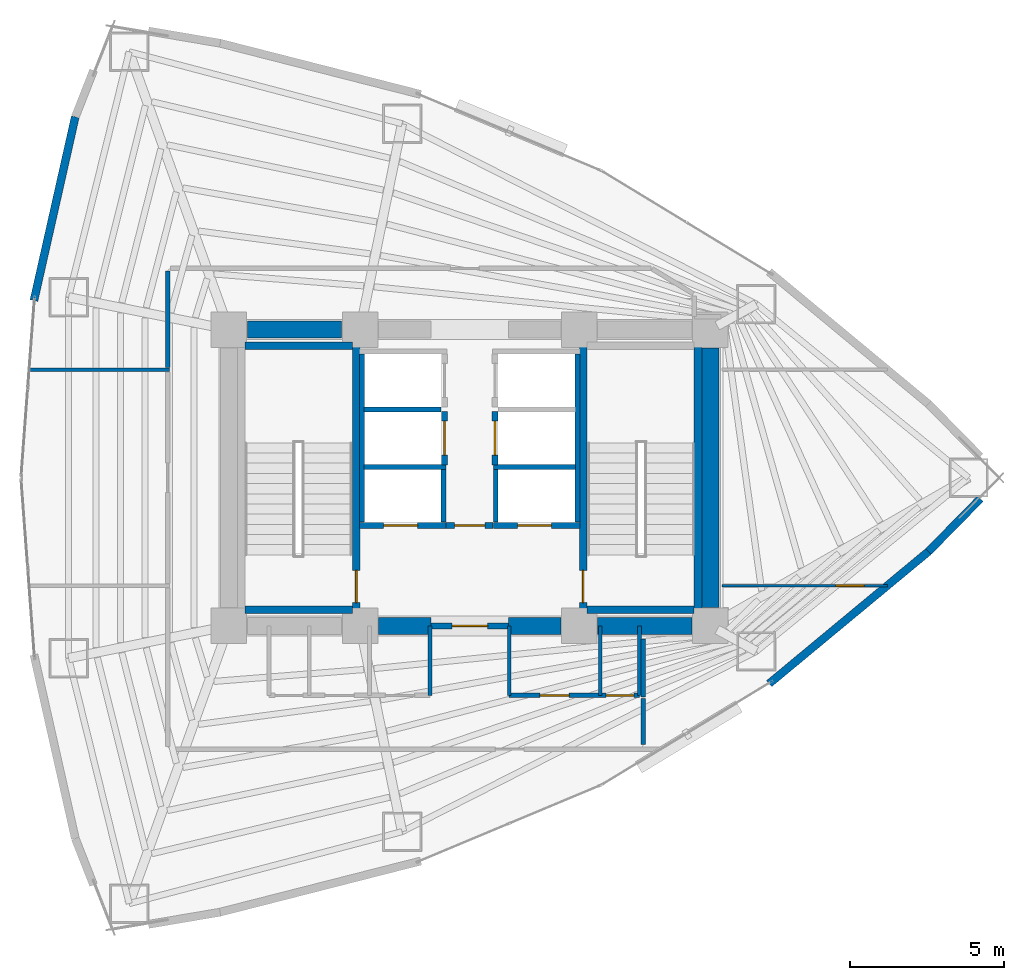
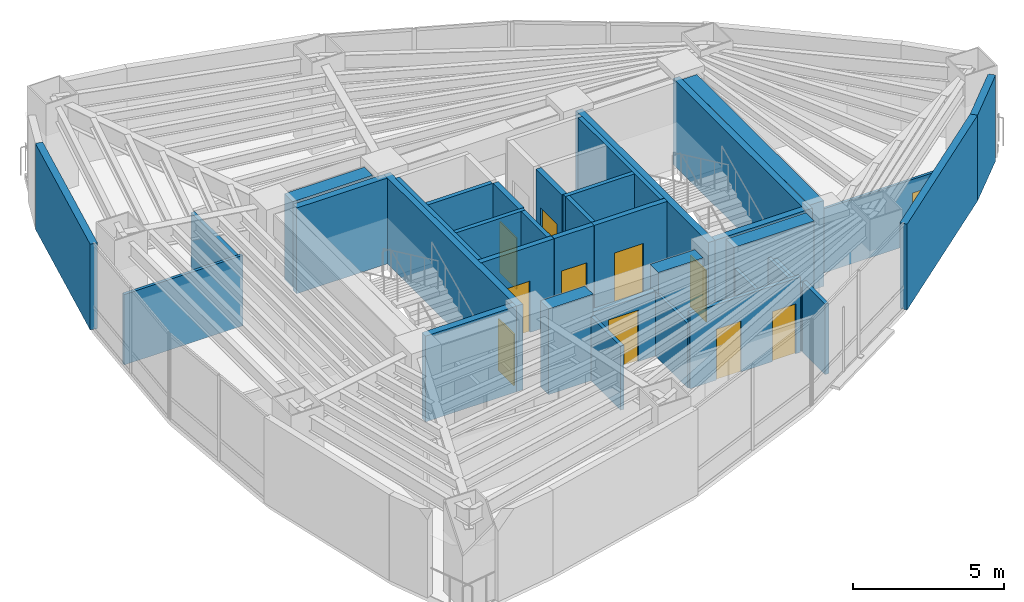
# One storey, part 15 of 18: 37 walls, 11 doors, 11 openings.
"""IFC4 building model written with IfcOpenShell, lengths in metres."""

from ifc_helpers import new_model, si_unit, direction, frame, frame_2d, origin, place, context, subcontext, project, spatial, rectangle, extrude, material, layer, layer_set, type_object, element, fill, save


model = new_model("IFC4")

# Units and contexts
model_context = context("Model", 3, precision=1e-05, world=origin(), true_north=direction((0.0, 1.0)))
body_context = subcontext(model_context, "Body", "Model", "MODEL_VIEW")
ifc_project = project(units=[si_unit("LENGTHUNIT", "METRE"), si_unit("AREAUNIT", "SQUARE_METRE"), si_unit("VOLUMEUNIT", "CUBIC_METRE"), si_unit("PLANEANGLEUNIT", "RADIAN"), si_unit("MASSUNIT", "GRAM", prefix="KILO")], contexts=[model_context])

# Site, building, storey
site_placement = place(None, origin())
site = spatial("IfcSite", under=ifc_project, at=site_placement, CompositionType="ELEMENT")
building_placement = place(site_placement, origin())
building = spatial("IfcBuilding", under=site, at=building_placement, Name="Menara Vayukalpa", CompositionType="ELEMENT")
storey_placement = place(building_placement, frame((0.0, 0.0, 92.820068359375)))
storey = spatial("IfcBuildingStorey", under=building, at=storey_placement, Name="L22", CompositionType="ELEMENT", Elevation=92.820068359375)

# Walls
ifc_material_1 = material(Name="Concrete C60/75", Category="concrete")
ifc_layer_1 = layer(ifc_material_1, 0.550048828125)
ifc_layer_set_1 = layer_set([ifc_layer_1], Name="Concrete C60/75")
wall_type_1 = type_object("IfcWallType", Name="WAL-CW550", PredefinedType="SHEAR", material=ifc_layer_set_1)
wall_1_placement = place(storey_placement, frame((22.64501953125, 17.199951171875, 0.0), z_axis=(0.0, 0.0, 1.0), x_axis=(1.0, 0.0, 0.0)))
element("IfcWall", 1, at=wall_1_placement, inside=storey, type_object=wall_type_1, Name="L22 Buttressed Core Shear Wall CWS2", PredefinedType="SHEAR", context=body_context, shape_type="SweptSolid", body=[
    extrude(rectangle(XDim=1.705078125, YDim=0.550048828125, at=frame_2d((0.8525390625, 0.0))), origin(), (0.0, 0.0, 1.0), 3.469970703125),
])
wall_2_placement = place(storey_placement, frame((26.85009765625, 17.199951171875, 0.0), z_axis=(0.0, 0.0, 1.0), x_axis=(1.0, 0.0, 0.0)))
element("IfcWall", 2, at=wall_2_placement, inside=storey, type_object=wall_type_1, Name="L22 Buttressed Core Shear Wall CWS3", PredefinedType="SHEAR", context=body_context, shape_type="SweptSolid", body=[
    extrude(rectangle(XDim=1.704833984375, YDim=0.550048828125, at=frame_2d((0.8525390625, 0.0))), origin(), (0.0, 0.0, 1.0), 3.469970703125),
])
wall_3_placement = place(storey_placement, frame((29.7451171875, 17.199951171875, 0.0), z_axis=(0.0, 0.0, 1.0), x_axis=(1.0, 0.0, 0.0)))
element("IfcWall", 3, at=wall_3_placement, inside=storey, type_object=wall_type_1, Name="L22 Buttressed Core Shear Wall CWS4", PredefinedType="SHEAR", context=body_context, shape_type="SweptSolid", body=[
    extrude(rectangle(XDim=3.059814453125, YDim=0.550048828125, at=frame_2d((1.52978515625, 0.0))), origin(), (0.0, 0.0, 1.0), 3.469970703125),
])
wall_4_placement = place(storey_placement, frame((18.39501953125, 26.800048828125, 0.0), z_axis=(0.0, 0.0, 1.0), x_axis=(1.0, 0.0, 0.0)))
element("IfcWall", 4, at=wall_4_placement, inside=storey, type_object=wall_type_1, Name="L22 Buttressed Core Shear Wall CWN1", PredefinedType="SHEAR", context=body_context, shape_type="SweptSolid", body=[
    extrude(rectangle(XDim=3.06005859375, YDim=0.550048828125, at=frame_2d((1.530029296875, 0.0))), origin(), (0.0, 0.0, 1.0), 3.469970703125),
])
wall_5_placement = place(storey_placement, frame((33.39990234375, 17.794921875, 0.0), z_axis=(0.0, 0.0, 1.0), x_axis=(0.0, 1.0, 0.0)))
element("IfcWall", 5, at=wall_5_placement, inside=storey, type_object=wall_type_1, Name="L22 Buttressed Core Shear Wall CWE1", PredefinedType="SHEAR", context=body_context, shape_type="SweptSolid", body=[
    extrude(rectangle(XDim=8.41015625, YDim=0.550048828125, at=frame_2d((4.205078125, 0.0))), origin(), (0.0, 0.0, 1.0), 3.469970703125),
])
ifc_material_2 = material(Name="Insulated Precast Concrete C40/50", Category="concrete")
ifc_layer_2 = layer(ifc_material_2, 0.260009765625)
ifc_layer_set_2 = layer_set([ifc_layer_2], Name="Insulated Precast Concrete C40/50")
wall_type_2 = type_object("IfcWallType", Name="WAL-EXT260", PredefinedType="PARTITIONING", material=ifc_layer_set_2)
wall_6_placement = place(storey_placement, frame((42.14111328125, 21.316650390625, 0.0), z_axis=(0.0, 0.0, 1.0), x_axis=(-0.700603293449, -0.713550996922, 0.0)))
element("IfcWall", 6, at=wall_6_placement, inside=storey, type_object=wall_type_2, Name="L22 Perimeter Terracotta Pier Wall 01", PredefinedType="PARTITIONING", context=body_context, shape_type="SweptSolid", body=[
    extrude(rectangle(XDim=2.394775390625, YDim=0.260009765625, at=frame_2d((1.197265625, 0.0))), origin(), (0.0, 0.0, 1.0), 3.469970703125),
])
wall_7_placement = place(storey_placement, frame((11.482421875, 27.73828125, 0.0), z_axis=(0.0, 0.0, 1.0), x_axis=(0.219535044336, 0.975604614743, 0.0)))
element("IfcWall", 7, at=wall_7_placement, inside=storey, type_object=wall_type_2, Name="L22 Perimeter Terracotta Pier Wall 09", PredefinedType="PARTITIONING", context=body_context, shape_type="SweptSolid", body=[
    extrude(rectangle(XDim=6.10205078125, YDim=0.260009765625, at=frame_2d((3.051025390625, 0.0))), origin(), (0.0, 0.0, 1.0), 3.469970703125),
])
wall_8_placement = place(storey_placement, frame((40.472412109375, 19.6162109375, 0.0), z_axis=(0.0, 0.0, 1.0), x_axis=(-0.76975316947, -0.638341646841, 0.0)))
element("IfcWall", 8, at=wall_8_placement, inside=storey, type_object=wall_type_2, Name="L22 Perimeter Terracotta Pier Wall 18", PredefinedType="PARTITIONING", context=body_context, shape_type="SweptSolid", body=[
    extrude(rectangle(XDim=6.718017578125, YDim=0.260009765625, at=frame_2d((3.35888671875, 0.0))), origin(), (0.0, 0.0, 1.0), 3.469970703125),
])
ifc_material_3 = material(Name="Lightweight Concrete Blockwork C16/20", Category="masonry")
ifc_layer_3 = layer(ifc_material_3, 0.159912109375)
ifc_layer_set_3 = layer_set([ifc_layer_3], Name="Lightweight Concrete Blockwork C16/20")
wall_type_3 = type_object("IfcWallType", Name="WAL-FR150", PredefinedType="PARTITIONING", material=ifc_layer_set_3)
wall_9_placement = place(storey_placement, frame((22.10498046875, 20.56005859375, 0.0), z_axis=(0.0, 0.0, 1.0), x_axis=(0.0, 1.0, 0.0)))
element("IfcWall", 9, at=wall_9_placement, inside=storey, type_object=wall_type_3, Name="L22 Interior Partition IW-L22-SHW-WW", PredefinedType="PARTITIONING", context=body_context, shape_type="SweptSolid", body=[
    extrude(rectangle(XDim=5.449951171875, YDim=0.159912109375, at=frame_2d((2.72509765625, 0.0))), origin(), (0.0, 0.0, 1.0), 3.469970703125),
])
wall_10_placement = place(storey_placement, frame((24.7548828125, 20.56005859375, 0.0), z_axis=(0.0, 0.0, 1.0), x_axis=(0.0, 1.0, 0.0)))
element("IfcWall", 10, at=wall_10_placement, inside=storey, type_object=wall_type_3, Name="L22 Interior Partition IW-L22-SHW-W1E", PredefinedType="PARTITIONING", context=body_context, shape_type="SweptSolid", body=[
    extrude(rectangle(XDim=1.7099609375, YDim=0.159912109375, at=frame_2d((0.85498046875, 0.0))), origin(), (0.0, 0.0, 1.0), 3.469970703125),
])
wall_11_placement = place(storey_placement, frame((22.179931640625, 22.344970703125, 0.0), z_axis=(0.0, 0.0, 1.0), x_axis=(1.0, 0.0, 0.0)))
element("IfcWall", 11, at=wall_11_placement, inside=storey, type_object=wall_type_3, Name="L22 Interior Partition IW-L22-SHM-W12", PredefinedType="PARTITIONING", context=body_context, shape_type="SweptSolid", body=[
    extrude(rectangle(XDim=2.650146484375, YDim=0.159912109375, at=frame_2d((1.3251953125, 0.0))), origin(), (0.0, 0.0, 1.0), 3.469970703125),
])
wall_12_placement = place(storey_placement, frame((22.179931640625, 24.215087890625, 0.0), z_axis=(0.0, 0.0, 1.0), x_axis=(1.0, 0.0, 0.0)))
element("IfcWall", 12, at=wall_12_placement, inside=storey, type_object=wall_type_3, Name="L22 Interior Partition IW-L22-SHM-W23", PredefinedType="PARTITIONING", context=body_context, shape_type="SweptSolid", body=[
    extrude(rectangle(XDim=2.489990234375, YDim=0.159912109375, at=frame_2d((1.2451171875, 0.0))), origin(), (0.0, 0.0, 1.0), 3.469970703125),
])
wall_13_placement = place(storey_placement, frame((29.094970703125, 20.56005859375, 0.0), z_axis=(0.0, 0.0, 1.0), x_axis=(0.0, 1.0, 0.0)))
element("IfcWall", 13, at=wall_13_placement, inside=storey, type_object=wall_type_3, Name="L22 Interior Partition IW-L22-SHW-EE", PredefinedType="PARTITIONING", context=body_context, shape_type="SweptSolid", body=[
    extrude(rectangle(XDim=5.449951171875, YDim=0.159912109375, at=frame_2d((2.72509765625, 0.0))), origin(), (0.0, 0.0, 1.0), 3.469970703125),
])
wall_14_placement = place(storey_placement, frame((26.445068359375, 20.56005859375, 0.0), z_axis=(0.0, 0.0, 1.0), x_axis=(0.0, 1.0, 0.0)))
element("IfcWall", 14, at=wall_14_placement, inside=storey, type_object=wall_type_3, Name="L22 Interior Partition IW-L22-SHW-E1W", PredefinedType="PARTITIONING", context=body_context, shape_type="SweptSolid", body=[
    extrude(rectangle(XDim=1.7099609375, YDim=0.159912109375, at=frame_2d((0.85498046875, 0.0))), origin(), (0.0, 0.0, 1.0), 3.469970703125),
])
wall_15_placement = place(storey_placement, frame((26.3701171875, 22.344970703125, 0.0), z_axis=(0.0, 0.0, 1.0), x_axis=(1.0, 0.0, 0.0)))
element("IfcWall", 15, at=wall_15_placement, inside=storey, type_object=wall_type_3, Name="L22 Interior Partition IW-L22-SHM-E13", PredefinedType="PARTITIONING", context=body_context, shape_type="SweptSolid", body=[
    extrude(rectangle(XDim=2.64990234375, YDim=0.159912109375, at=frame_2d((1.324951171875, 0.0))), origin(), (0.0, 0.0, 1.0), 3.469970703125),
])

# Wall, opening, door
ifc_material_4 = material(Name="Lightweight Concrete Blockwork C16/20", Category="masonry")
ifc_layer_4 = layer(ifc_material_4, 0.199951171875)
ifc_layer_set_4 = layer_set([ifc_layer_4], Name="Lightweight Concrete Blockwork C16/20")
wall_type_4 = type_object("IfcWallType", Name="WAL-FR200", PredefinedType="PARTITIONING", material=ifc_layer_set_4)
wall_16_placement = place(storey_placement, frame((24.35009765625, 17.199951171875, 0.0), z_axis=(0.0, 0.0, 1.0), x_axis=(1.0, 0.0, 0.0)))
wall_16 = element("IfcWall", 16, at=wall_16_placement, inside=storey, type_object=wall_type_4, Name="L22 Interior Partition IW-L22-FFLS", PredefinedType="PARTITIONING", context=body_context, shape_type="SweptSolid", body=[
    extrude(rectangle(XDim=2.5, YDim=0.199951171875, at=frame_2d((1.25, 0.0))), origin(), (0.0, 0.0, 1.0), 2.599853515625),
])
opening_1_placement = place(wall_16_placement, frame((0.679931640625, 0.0, 0.0)))
opening_1 = element("IfcOpeningElement", 17, at=opening_1_placement, cuts=wall_16, Name="Opening ID2", PredefinedType="OPENING", context=body_context, shape_type="SweptSolid", body=[
    extrude(rectangle(XDim=1.14990234375, YDim=2.080078125, at=frame_2d((0.574951171875, 1.0400390625))), frame((0.0, 0.10986328125, 0.0), z_axis=(0.0, -1.0, 0.0), x_axis=(1.0, 0.0, 0.0)), (0.0, 0.0, 1.0), 0.219970703125),
])
ifc_material_5 = material(Name="Fire-Rated Powder-Coated Steel Door", Category="steel")
door_type_1 = type_object("IfcDoorType", Name="DR-FD60W", OperationType="NOTDEFINED", PredefinedType="DOOR", material=ifc_material_5)
door_1_placement = place(opening_1_placement, origin())
door_1 = element("IfcDoor", 18, at=door_1_placement, inside=storey, type_object=door_type_1, Name="L22 Interior Door DR-L22-FFLS", OperationType="SINGLE_SWING_RIGHT", OverallHeight=2.080078125, OverallWidth=1.14990234375, PredefinedType="DOOR", context=body_context, shape_type="SweptSolid", body=[
    extrude(rectangle(XDim=1.14990234375, YDim=2.080078125, at=frame_2d((0.574951171875, 1.0400390625))), frame((0.0, 0.02490234375, 0.0), z_axis=(0.0, -1.0, 0.0), x_axis=(1.0, 0.0, 0.0)), (0.0, 0.0, 1.0), 0.050048828125),
])
fill(opening_1, door_1)

wall_17_placement = place(storey_placement, frame((24.840087890625, 20.449951171875, 0.0), z_axis=(0.0, 0.0, 1.0), x_axis=(1.0, 0.0, 0.0)))
wall_17 = element("IfcWall", 19, at=wall_17_placement, inside=storey, type_object=wall_type_4, Name="L22 Interior Partition IW-L22-FFLN", PredefinedType="PARTITIONING", context=body_context, shape_type="SweptSolid", body=[
    extrude(rectangle(XDim=1.52001953125, YDim=0.199951171875, at=frame_2d((0.760009765625, 0.0))), origin(), (0.0, 0.0, 1.0), 3.469970703125),
])
opening_2_placement = place(wall_17_placement, frame((0.27001953125, 0.0, 0.0)))
opening_2 = element("IfcOpeningElement", 20, at=opening_2_placement, cuts=wall_17, Name="Opening ID3", PredefinedType="OPENING", context=body_context, shape_type="SweptSolid", body=[
    extrude(rectangle(XDim=0.97998046875, YDim=2.06005859375, at=frame_2d((0.489990234375, 1.030029296875))), frame((0.0, 0.10986328125, 0.0), z_axis=(0.0, -1.0, 0.0), x_axis=(1.0, 0.0, 0.0)), (0.0, 0.0, 1.0), 0.219970703125),
])
ifc_material_6 = material(Name="Fire-Rated Powder-Coated Steel Door", Category="steel")
door_type_2 = type_object("IfcDoorType", Name="DR-FD60", OperationType="NOTDEFINED", PredefinedType="DOOR", material=ifc_material_6)
door_2_placement = place(opening_2_placement, origin())
door_2 = element("IfcDoor", 21, at=door_2_placement, inside=storey, type_object=door_type_2, Name="L22 Interior Door DR-L22-FFLN", OperationType="SINGLE_SWING_LEFT", OverallHeight=2.06005859375, OverallWidth=0.97998046875, PredefinedType="DOOR", context=body_context, shape_type="SweptSolid", body=[
    extrude(rectangle(XDim=0.97998046875, YDim=2.06005859375, at=frame_2d((0.489990234375, 1.030029296875))), frame((0.0, 0.02490234375, 0.0), z_axis=(0.0, -1.0, 0.0), x_axis=(1.0, 0.0, 0.0)), (0.0, 0.0, 1.0), 0.050048828125),
])
fill(opening_2, door_2)

wall_18_placement = place(storey_placement, frame((22.030029296875, 20.449951171875, 0.0), z_axis=(0.0, 0.0, 1.0), x_axis=(1.0, 0.0, 0.0)))
wall_18 = element("IfcWall", 22, at=wall_18_placement, inside=storey, type_object=wall_type_4, Name="L22 Interior Partition IW-L22-SH-W1", PredefinedType="PARTITIONING", context=body_context, shape_type="SweptSolid", body=[
    extrude(rectangle(XDim=2.800048828125, YDim=0.199951171875, at=frame_2d((1.39990234375, 0.0))), origin(), (0.0, 0.0, 1.0), 3.469970703125),
])
opening_3_placement = place(wall_18_placement, frame((0.780029296875, 0.0, 0.0)))
opening_3 = element("IfcOpeningElement", 23, at=opening_3_placement, cuts=wall_18, Name="Opening LD1", PredefinedType="OPENING", context=body_context, shape_type="SweptSolid", body=[
    extrude(rectangle(XDim=1.10009765625, YDim=2.080078125, at=frame_2d((0.550048828125, 1.0400390625))), frame((0.0, 0.10986328125, 0.0), z_axis=(0.0, -1.0, 0.0), x_axis=(1.0, 0.0, 0.0)), (0.0, 0.0, 1.0), 0.219970703125),
])
ifc_material_7 = material(Name="Brushed Stainless Steel 316 Lift Door", Category="steel")
door_type_3 = type_object("IfcDoorType", Name="DR-LD110", OperationType="NOTDEFINED", PredefinedType="DOOR", material=ifc_material_7)
door_3_placement = place(opening_3_placement, origin())
door_3 = element("IfcDoor", 24, at=door_3_placement, inside=storey, type_object=door_type_3, Name="L22 Interior Door DR-L22-LD-W1", OperationType="DOUBLE_DOOR_SLIDING", OverallHeight=2.080078125, OverallWidth=1.10009765625, PredefinedType="DOOR", context=body_context, shape_type="SweptSolid", body=[
    extrude(rectangle(XDim=1.10009765625, YDim=2.080078125, at=frame_2d((0.550048828125, 1.0400390625))), frame((0.0, 0.02490234375, 0.0), z_axis=(0.0, -1.0, 0.0), x_axis=(1.0, 0.0, 0.0)), (0.0, 0.0, 1.0), 0.050048828125),
])
fill(opening_3, door_3)

wall_19_placement = place(storey_placement, frame((26.3701171875, 20.449951171875, 0.0), z_axis=(0.0, 0.0, 1.0), x_axis=(1.0, 0.0, 0.0)))
wall_19 = element("IfcWall", 25, at=wall_19_placement, inside=storey, type_object=wall_type_4, Name="L22 Interior Partition IW-L22-SH-E1", PredefinedType="PARTITIONING", context=body_context, shape_type="SweptSolid", body=[
    extrude(rectangle(XDim=2.7998046875, YDim=0.199951171875, at=frame_2d((1.39990234375, 0.0))), origin(), (0.0, 0.0, 1.0), 3.469970703125),
])
opening_4_placement = place(wall_19_placement, frame((0.780029296875, 0.0, 0.0)))
opening_4 = element("IfcOpeningElement", 26, at=opening_4_placement, cuts=wall_19, Name="Opening LD1", PredefinedType="OPENING", context=body_context, shape_type="SweptSolid", body=[
    extrude(rectangle(XDim=1.10009765625, YDim=2.080078125, at=frame_2d((0.550048828125, 1.0400390625))), frame((0.0, 0.10986328125, 0.0), z_axis=(0.0, -1.0, 0.0), x_axis=(1.0, 0.0, 0.0)), (0.0, 0.0, 1.0), 0.219970703125),
])
door_4_placement = place(opening_4_placement, origin())
door_4 = element("IfcDoor", 27, at=door_4_placement, inside=storey, type_object=door_type_3, Name="L22 Interior Door DR-L22-LD-E1", OperationType="DOUBLE_DOOR_SLIDING", OverallHeight=2.080078125, OverallWidth=1.10009765625, PredefinedType="DOOR", context=body_context, shape_type="SweptSolid", body=[
    extrude(rectangle(XDim=1.10009765625, YDim=2.080078125, at=frame_2d((0.550048828125, 1.0400390625))), frame((0.0, 0.02490234375, 0.0), z_axis=(0.0, -1.0, 0.0), x_axis=(1.0, 0.0, 0.0)), (0.0, 0.0, 1.0), 0.050048828125),
])
fill(opening_4, door_4)

wall_20_placement = place(storey_placement, frame((24.780029296875, 22.419921875, 0.0), z_axis=(0.0, 0.0, 1.0), x_axis=(0.0, 1.0, 0.0)))
wall_20 = element("IfcWall", 28, at=wall_20_placement, inside=storey, type_object=wall_type_4, Name="L22 Interior Partition IW-L22-SH-W2", PredefinedType="PARTITIONING", context=body_context, shape_type="SweptSolid", body=[
    extrude(rectangle(XDim=1.719970703125, YDim=0.199951171875, at=frame_2d((0.85986328125, 0.0))), origin(), (0.0, 0.0, 1.0), 3.469970703125),
])
opening_5_placement = place(wall_20_placement, frame((0.31005859375, 0.0, 0.0)))
opening_5 = element("IfcOpeningElement", 29, at=opening_5_placement, cuts=wall_20, Name="Opening LD1", PredefinedType="OPENING", context=body_context, shape_type="SweptSolid", body=[
    extrude(rectangle(XDim=1.10009765625, YDim=2.080078125, at=frame_2d((0.550048828125, 1.0400390625))), frame((0.0, 0.10986328125, 0.0), z_axis=(0.0, -1.0, 0.0), x_axis=(1.0, 0.0, 0.0)), (0.0, 0.0, 1.0), 0.219970703125),
])
door_5_placement = place(opening_5_placement, origin())
door_5 = element("IfcDoor", 30, at=door_5_placement, inside=storey, type_object=door_type_3, Name="L22 Interior Door DR-L22-LD-W2", OperationType="DOUBLE_DOOR_SLIDING", OverallHeight=2.080078125, OverallWidth=1.10009765625, PredefinedType="DOOR", context=body_context, shape_type="SweptSolid", body=[
    extrude(rectangle(XDim=1.10009765625, YDim=2.080078125, at=frame_2d((0.550048828125, 1.0400390625))), frame((0.0, 0.02490234375, 0.0), z_axis=(0.0, -1.0, 0.0), x_axis=(1.0, 0.0, 0.0)), (0.0, 0.0, 1.0), 0.050048828125),
])
fill(opening_5, door_5)

wall_21_placement = place(storey_placement, frame((26.419921875, 22.419921875, 0.0), z_axis=(0.0, 0.0, 1.0), x_axis=(0.0, 1.0, 0.0)))
wall_21 = element("IfcWall", 31, at=wall_21_placement, inside=storey, type_object=wall_type_4, Name="L22 Interior Partition IW-L22-SH-E3", PredefinedType="PARTITIONING", context=body_context, shape_type="SweptSolid", body=[
    extrude(rectangle(XDim=1.719970703125, YDim=0.199951171875, at=frame_2d((0.85986328125, 0.0))), origin(), (0.0, 0.0, 1.0), 3.469970703125),
])
opening_6_placement = place(wall_21_placement, frame((0.31005859375, 0.0, 0.0)))
opening_6 = element("IfcOpeningElement", 32, at=opening_6_placement, cuts=wall_21, Name="Opening LD1", PredefinedType="OPENING", context=body_context, shape_type="SweptSolid", body=[
    extrude(rectangle(XDim=1.10009765625, YDim=2.080078125, at=frame_2d((0.550048828125, 1.0400390625))), frame((0.0, 0.10986328125, 0.0), z_axis=(0.0, -1.0, 0.0), x_axis=(1.0, 0.0, 0.0)), (0.0, 0.0, 1.0), 0.219970703125),
])
door_6_placement = place(opening_6_placement, origin())
door_6 = element("IfcDoor", 33, at=door_6_placement, inside=storey, type_object=door_type_3, Name="L22 Interior Door DR-L22-LD-E3", OperationType="DOUBLE_DOOR_SLIDING", OverallHeight=2.080078125, OverallWidth=1.10009765625, PredefinedType="DOOR", context=body_context, shape_type="SweptSolid", body=[
    extrude(rectangle(XDim=1.10009765625, YDim=2.080078125, at=frame_2d((0.550048828125, 1.0400390625))), frame((0.0, 0.02490234375, 0.0), z_axis=(0.0, -1.0, 0.0), x_axis=(1.0, 0.0, 0.0)), (0.0, 0.0, 1.0), 0.050048828125),
])
fill(opening_6, door_6)

ifc_material_8 = material(Name="Glazed Demountable Office Partition", Category="glass")
ifc_layer_5 = layer(ifc_material_8, 0.094970703125)
ifc_layer_set_5 = layer_set([ifc_layer_5], Name="Glazed Demountable Office Partition")
wall_type_5 = type_object("IfcWallType", Name="WAL-PT100", PredefinedType="PARTITIONING", material=ifc_layer_set_5)
wall_22_placement = place(storey_placement, frame((33.77001953125, 18.5, 0.0), z_axis=(0.0, 0.0, 1.0), x_axis=(1.0, 0.0, 0.0)))
wall_22 = element("IfcWall", 34, at=wall_22_placement, inside=storey, type_object=wall_type_5, Name="L22 Interior Partition IW-L22-RDIV02", PredefinedType="PARTITIONING", context=body_context, shape_type="SweptSolid", body=[
    extrude(rectangle(XDim=5.3720703125, YDim=0.094970703125, at=frame_2d((2.68603515625, 0.0))), origin(), (0.0, 0.0, 1.0), 2.599853515625),
])
opening_7_placement = place(wall_22_placement, frame((3.685546875, 0.0, 0.0)))
opening_7 = element("IfcOpeningElement", 35, at=opening_7_placement, cuts=wall_22, Name="Opening ID6", PredefinedType="OPENING", context=body_context, shape_type="SweptSolid", body=[
    extrude(rectangle(XDim=0.919921875, YDim=2.050048828125, at=frame_2d((0.4599609375, 1.02490234375))), frame((0.0, 0.057373046875, 0.0), z_axis=(0.0, -1.0, 0.0), x_axis=(1.0, 0.0, 0.0)), (0.0, 0.0, 1.0), 0.114990234375),
])
ifc_material_9 = material(Name="Acoustic Hardwood Veneer Timber Door", Category="wood")
door_type_4 = type_object("IfcDoorType", Name="DR-INT92", OperationType="NOTDEFINED", PredefinedType="DOOR", material=ifc_material_9)
door_7_placement = place(opening_7_placement, origin())
door_7 = element("IfcDoor", 36, at=door_7_placement, inside=storey, type_object=door_type_4, Name="L22 Interior Door DR-L22-STE03", OperationType="SINGLE_SWING_RIGHT", OverallHeight=2.050048828125, OverallWidth=0.919921875, PredefinedType="DOOR", context=body_context, shape_type="SweptSolid", body=[
    extrude(rectangle(XDim=0.919921875, YDim=2.050048828125, at=frame_2d((0.4599609375, 1.02490234375))), frame((0.0, 0.02490234375, 0.0), z_axis=(0.0, -1.0, 0.0), x_axis=(1.0, 0.0, 0.0)), (0.0, 0.0, 1.0), 0.050048828125),
])
fill(opening_7, door_7)

# Walls
ifc_material_10 = material(Name="Acoustic Mineral Stud Partition", Category="masonry")
ifc_layer_6 = layer(ifc_material_10, 0.110107421875)
ifc_layer_set_6 = layer_set([ifc_layer_6], Name="Acoustic Mineral Stud Partition")
wall_type_6 = type_object("IfcWallType", Name="WAL-PT110", PredefinedType="PARTITIONING", material=ifc_layer_set_6)
wall_23_placement = place(storey_placement, frame((26.8798828125, 14.949951171875, 0.0), z_axis=(0.0, 0.0, 1.0), x_axis=(0.0, 1.0, 0.0)))
element("IfcWall", 37, at=wall_23_placement, inside=storey, type_object=wall_type_6, Name="L22 Interior Partition IW-L22-SVCD-05", PredefinedType="PARTITIONING", context=body_context, shape_type="SweptSolid", body=[
    extrude(rectangle(XDim=2.25, YDim=0.110107421875, at=frame_2d((1.125, 0.0))), origin(), (0.0, 0.0, 1.0), 2.599853515625),
])
wall_24_placement = place(storey_placement, frame((11.32080078125, 25.5, 0.0), z_axis=(0.0, 0.0, 1.0), x_axis=(1.0, 0.0, 0.0)))
element("IfcWall", 38, at=wall_24_placement, inside=storey, type_object=wall_type_6, Name="L22 Interior Partition IW-L22-RDIV03", PredefinedType="PARTITIONING", context=body_context, shape_type="SweptSolid", body=[
    extrude(rectangle(XDim=4.54931640625, YDim=0.110107421875, at=frame_2d((2.274658203125, 0.0))), origin(), (0.0, 0.0, 1.0), 2.849853515625),
])
ifc_material_11 = material(Name="Gypsum Drywall Steel Stud Assembly", Category="steel")
ifc_layer_7 = layer(ifc_material_11, 0.125)
ifc_layer_set_7 = layer_set([ifc_layer_7], Name="Gypsum Drywall Steel Stud Assembly")
wall_type_7 = type_object("IfcWallType", Name="WAL-PT125", PredefinedType="PARTITIONING", material=ifc_layer_set_7)
for number, where, z_axis, x_axis, name in (
    (39, (24.320068359375, 14.949951171875, 0.0), (0.0, 0.0, 1.0), (0.0, 1.0, 0.0), "L22 Interior Partition IW-L22-SVCD-04"),
    (40, (29.830078125, 14.949951171875, 0.0), (0.0, 0.0, 1.0), (0.0, 1.0, 0.0), "L22 Interior Partition IW-L22-SVCD-06"),
    (41, (31.10009765625, 14.949951171875, 0.0), (0.0, 0.0, 1.0), (0.0, 1.0, 0.0), "L22 Interior Partition IW-L22-SVCD-07"),
):
    element("IfcWall", number, at=place(storey_placement, frame(where, z_axis=z_axis, x_axis=x_axis)), inside=storey, type_object=wall_type_7, Name=name, PredefinedType="PARTITIONING", context=body_context, shape_type="SweptSolid", body=[
        extrude(rectangle(XDim=2.25, YDim=0.125, at=frame_2d((1.125, 0.0))), origin(), (0.0, 0.0, 1.0), 2.599853515625),
    ])

# Wall, openings, doors
ifc_material_12 = material(Name="Gypsum Drywall Acoustic Stud Assembly", Category="masonry")
ifc_layer_8 = layer(ifc_material_12, 0.14501953125)
ifc_layer_set_8 = layer_set([ifc_layer_8], Name="Gypsum Drywall Acoustic Stud Assembly")
wall_type_8 = type_object("IfcWallType", Name="WAL-PT150", PredefinedType="PARTITIONING", material=ifc_layer_set_8)
wall_25_placement = place(storey_placement, frame((26.8798828125, 14.949951171875, 0.0), z_axis=(0.0, 0.0, 1.0), x_axis=(1.0, 0.0, 0.0)))
wall_25 = element("IfcWall", 42, at=wall_25_placement, inside=storey, type_object=wall_type_8, Name="L22 Interior Partition IW-L22-SVCS-E", PredefinedType="PARTITIONING", context=body_context, shape_type="SweptSolid", body=[
    extrude(rectangle(XDim=4.22021484375, YDim=0.14501953125, at=frame_2d((2.110107421875, 0.0))), origin(), (0.0, 0.0, 1.0), 3.050048828125),
])
opening_8_placement = place(wall_25_placement, frame((0.9951171875, 0.0, 0.0)))
opening_8 = element("IfcOpeningElement", 43, at=opening_8_placement, cuts=wall_25, Name="Opening ID5", PredefinedType="OPENING", context=body_context, shape_type="SweptSolid", body=[
    extrude(rectangle(XDim=0.949951171875, YDim=2.06005859375, at=frame_2d((0.47509765625, 1.030029296875))), frame((0.0, 0.08251953125, 0.0), z_axis=(0.0, -1.0, 0.0), x_axis=(1.0, 0.0, 0.0)), (0.0, 0.0, 1.0), 0.1650390625),
])
opening_9_placement = place(wall_25_placement, frame((3.139892578125, 0.0, 0.0)))
opening_9 = element("IfcOpeningElement", 44, at=opening_9_placement, cuts=wall_25, Name="Opening ID7", PredefinedType="OPENING", context=body_context, shape_type="SweptSolid", body=[
    extrude(rectangle(XDim=0.89990234375, YDim=2.02001953125, at=frame_2d((0.449951171875, 1.010009765625))), frame((0.0, 0.08251953125, 0.0), z_axis=(0.0, -1.0, 0.0), x_axis=(1.0, 0.0, 0.0)), (0.0, 0.0, 1.0), 0.1650390625),
])
ifc_material_13 = material(Name="Acoustic Hardwood Veneer Timber Door", Category="wood")
door_type_5 = type_object("IfcDoorType", Name="DR-INT95", OperationType="NOTDEFINED", PredefinedType="DOOR", material=ifc_material_13)
door_8_placement = place(opening_8_placement, origin())
door_8 = element("IfcDoor", 45, at=door_8_placement, inside=storey, type_object=door_type_5, Name="L22 Interior Door DR-L22-KSV1", OperationType="SINGLE_SWING_LEFT", OverallHeight=2.06005859375, OverallWidth=0.949951171875, PredefinedType="DOOR", context=body_context, shape_type="SweptSolid", body=[
    extrude(rectangle(XDim=0.949951171875, YDim=2.06005859375, at=frame_2d((0.47509765625, 1.030029296875))), frame((0.0, 0.02490234375, 0.0), z_axis=(0.0, -1.0, 0.0), x_axis=(1.0, 0.0, 0.0)), (0.0, 0.0, 1.0), 0.050048828125),
])
fill(opening_8, door_8)
ifc_material_14 = material(Name="Powder-Coated Steel Riser Access Door", Category="steel")
door_type_6 = type_object("IfcDoorType", Name="DR-RISER", OperationType="NOTDEFINED", PredefinedType="DOOR", material=ifc_material_14)
door_9_placement = place(opening_9_placement, origin())
door_9 = element("IfcDoor", 46, at=door_9_placement, inside=storey, type_object=door_type_6, Name="L22 Interior Door DR-L22-SMD", OperationType="SINGLE_SWING_RIGHT", OverallHeight=2.02001953125, OverallWidth=0.89990234375, PredefinedType="DOOR", context=body_context, shape_type="SweptSolid", body=[
    extrude(rectangle(XDim=0.89990234375, YDim=2.02001953125, at=frame_2d((0.449951171875, 1.010009765625))), frame((0.0, 0.02490234375, 0.0), z_axis=(0.0, -1.0, 0.0), x_axis=(1.0, 0.0, 0.0)), (0.0, 0.0, 1.0), 0.050048828125),
])
fill(opening_9, door_9)

# Walls
wall_26_placement = place(storey_placement, frame((31.22998046875, 13.351318359375, 0.0), z_axis=(0.0, 0.0, 1.0), x_axis=(0.0, 1.0, 0.0)))
element("IfcWall", 47, at=wall_26_placement, inside=storey, type_object=wall_type_8, Name="L22 Interior Partition IW-L22-CRM02-3", PredefinedType="PARTITIONING", context=body_context, shape_type="SweptSolid", body=[
    extrude(rectangle(XDim=1.498779296875, YDim=0.14501953125, at=frame_2d((0.74951171875, 0.0))), origin(), (0.0, 0.0, 1.0), 2.849853515625),
])
wall_27_placement = place(storey_placement, frame((31.219970703125, 14.888671875, 0.0), z_axis=(0.0, 0.0, 1.0), x_axis=(0.0, 1.0, 0.0)))
element("IfcWall", 48, at=wall_27_placement, inside=storey, type_object=wall_type_8, Name="L22 Interior Partition IW-L22-CRM02-4", PredefinedType="PARTITIONING", context=body_context, shape_type="SweptSolid", body=[
    extrude(rectangle(XDim=1.891357421875, YDim=0.14501953125, at=frame_2d((0.94580078125, 0.0))), origin(), (0.0, 0.0, 1.0), 2.599853515625),
])
wall_28_placement = place(storey_placement, frame((15.820068359375, 28.699951171875, 0.0), z_axis=(0.0, 0.0, 1.0), x_axis=(0.0, -1.0, 0.0)))
element("IfcWall", 49, at=wall_28_placement, inside=storey, type_object=wall_type_8, Name="L22 Interior Partition IW-L22-CRM04-5", PredefinedType="PARTITIONING", context=body_context, shape_type="SweptSolid", body=[
    extrude(rectangle(XDim=3.1298828125, YDim=0.14501953125, at=frame_2d((1.56494140625, 0.0))), origin(), (0.0, 0.0, 1.0), 2.64990234375),
])

# Wall, opening, door
ifc_material_15 = material(Name="Concrete C50/60", Category="concrete")
ifc_layer_9 = layer(ifc_material_15, 0.25)
ifc_layer_set_9 = layer_set([ifc_layer_9], Name="Concrete C50/60")
wall_type_9 = type_object("IfcWallType", Name="WAL-SW250", PredefinedType="SHEAR", material=ifc_layer_set_9)
wall_29_placement = place(storey_placement, frame((21.925048828125, 17.60009765625, 0.0), z_axis=(0.0, 0.0, 1.0), x_axis=(0.0, 1.0, 0.0)))
wall_29 = element("IfcWall", 50, at=wall_29_placement, inside=storey, type_object=wall_type_9, Name="L22 ST1 Structural Stair Shaft Wall E", PredefinedType="SHEAR", context=body_context, shape_type="SweptSolid", body=[
    extrude(rectangle(XDim=8.7998046875, YDim=0.25, at=frame_2d((4.39990234375, 0.0))), origin(), (0.0, 0.0, 1.0), 3.469970703125),
])
opening_10_placement = place(wall_29_placement, frame((0.35009765625, 0.0, 0.0)))
opening_10 = element("IfcOpeningElement", 51, at=opening_10_placement, cuts=wall_29, Name="Opening ID1", PredefinedType="OPENING", context=body_context, shape_type="SweptSolid", body=[
    extrude(rectangle(XDim=1.050048828125, YDim=2.080078125, at=frame_2d((0.52490234375, 1.0400390625))), frame((0.0, 0.135009765625, 0.0), z_axis=(0.0, -1.0, 0.0), x_axis=(1.0, 0.0, 0.0)), (0.0, 0.0, 1.0), 0.27001953125),
])
ifc_material_16 = material(Name="Fire-Rated Powder-Coated Steel Door", Category="steel")
door_type_7 = type_object("IfcDoorType", Name="DR-FD120", OperationType="NOTDEFINED", PredefinedType="DOOR", material=ifc_material_16)
door_10_placement = place(opening_10_placement, origin())
door_10 = element("IfcDoor", 52, at=door_10_placement, inside=storey, type_object=door_type_7, Name="L22 Stair Exit Door DR-L22-ST1", OperationType="SINGLE_SWING_LEFT", OverallHeight=2.080078125, OverallWidth=1.050048828125, PredefinedType="DOOR", context=body_context, shape_type="SweptSolid", body=[
    extrude(rectangle(XDim=1.050048828125, YDim=2.080078125, at=frame_2d((0.52490234375, 1.0400390625))), frame((0.0, 0.02490234375, 0.0), z_axis=(0.0, -1.0, 0.0), x_axis=(1.0, 0.0, 0.0)), (0.0, 0.0, 1.0), 0.050048828125),
])
fill(opening_10, door_10)

# Walls
for number, where, z_axis, x_axis, name in (
    (53, (18.3291015625, 17.72509765625, 0.0), (0.0, 0.0, 1.0), (1.0, 0.0, 0.0), "L22 ST1 Structural Stair Shaft Wall S"),
    (54, (18.3291015625, 26.27490234375, 0.0), (0.0, 0.0, 1.0), (1.0, 0.0, 0.0), "L22 ST1 Structural Stair Shaft Wall N"),
):
    element("IfcWall", number, at=place(storey_placement, frame(where, z_axis=z_axis, x_axis=x_axis)), inside=storey, type_object=wall_type_9, Name=name, PredefinedType="SHEAR", context=body_context, shape_type="SweptSolid", body=[
        extrude(rectangle(XDim=3.470947265625, YDim=0.25, at=frame_2d((1.7353515625, 0.0))), origin(), (0.0, 0.0, 1.0), 3.469970703125),
    ])

# Wall, opening, door
wall_30_placement = place(storey_placement, frame((29.27490234375, 17.60009765625, 0.0), z_axis=(0.0, 0.0, 1.0), x_axis=(0.0, 1.0, 0.0)))
wall_30 = element("IfcWall", 55, at=wall_30_placement, inside=storey, type_object=wall_type_9, Name="L22 ST2 Structural Stair Shaft Wall W", PredefinedType="SHEAR", context=body_context, shape_type="SweptSolid", body=[
    extrude(rectangle(XDim=8.7998046875, YDim=0.25, at=frame_2d((4.39990234375, 0.0))), origin(), (0.0, 0.0, 1.0), 3.469970703125),
])
opening_11_placement = place(wall_30_placement, frame((0.35009765625, 0.0, 0.0)))
opening_11 = element("IfcOpeningElement", 56, at=opening_11_placement, cuts=wall_30, Name="Opening ID1", PredefinedType="OPENING", context=body_context, shape_type="SweptSolid", body=[
    extrude(rectangle(XDim=1.050048828125, YDim=2.080078125, at=frame_2d((0.52490234375, 1.0400390625))), frame((0.0, 0.135009765625, 0.0), z_axis=(0.0, -1.0, 0.0), x_axis=(1.0, 0.0, 0.0)), (0.0, 0.0, 1.0), 0.27001953125),
])
door_11_placement = place(opening_11_placement, origin())
door_11 = element("IfcDoor", 57, at=door_11_placement, inside=storey, type_object=door_type_7, Name="L22 Stair Exit Door DR-L22-ST2", OperationType="SINGLE_SWING_RIGHT", OverallHeight=2.080078125, OverallWidth=1.050048828125, PredefinedType="DOOR", context=body_context, shape_type="SweptSolid", body=[
    extrude(rectangle(XDim=1.050048828125, YDim=2.080078125, at=frame_2d((0.52490234375, 1.0400390625))), frame((0.0, 0.02490234375, 0.0), z_axis=(0.0, -1.0, 0.0), x_axis=(1.0, 0.0, 0.0)), (0.0, 0.0, 1.0), 0.050048828125),
])
fill(opening_11, door_11)

# Walls
wall_31_placement = place(storey_placement, frame((32.99609375, 17.60009765625, 0.0), z_axis=(0.0, 0.0, 1.0), x_axis=(0.0, 1.0, 0.0)))
element("IfcWall", 58, at=wall_31_placement, inside=storey, type_object=wall_type_9, Name="L22 ST2 Structural Stair Shaft Wall E", PredefinedType="SHEAR", context=body_context, shape_type="SweptSolid", body=[
    extrude(rectangle(XDim=8.7998046875, YDim=0.25, at=frame_2d((4.39990234375, 0.0))), origin(), (0.0, 0.0, 1.0), 3.469970703125),
])
wall_32_placement = place(storey_placement, frame((29.39990234375, 17.72509765625, 0.0), z_axis=(0.0, 0.0, 1.0), x_axis=(1.0, 0.0, 0.0)))
element("IfcWall", 59, at=wall_32_placement, inside=storey, type_object=wall_type_9, Name="L22 ST2 Structural Stair Shaft Wall S", PredefinedType="SHEAR", context=body_context, shape_type="SweptSolid", body=[
    extrude(rectangle(XDim=3.47119140625, YDim=0.25, at=frame_2d((1.735595703125, 0.0))), origin(), (0.0, 0.0, 1.0), 3.469970703125),
])

save(model, "model.ifc")
